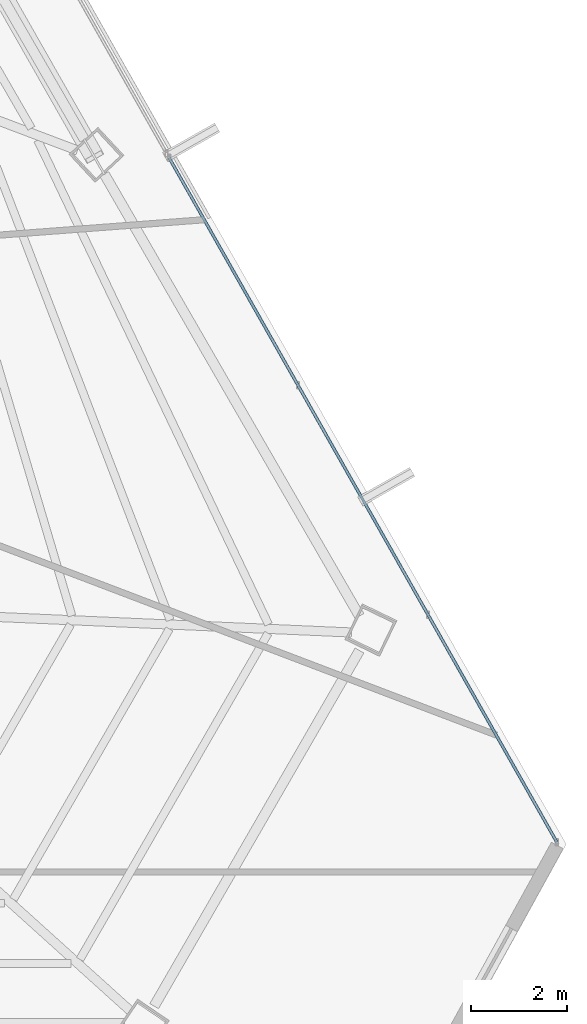
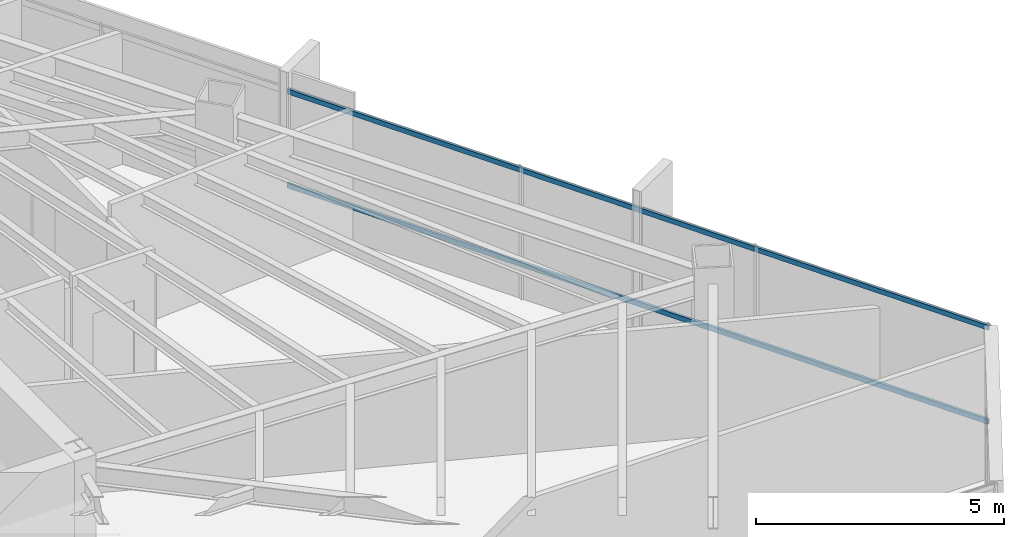
# One storey, part 23 of 40: 2 members, 1 element without a shape of its own.
"""IFC4 building model written with IfcOpenShell, lengths in metres."""

from ifc_helpers import new_model, si_unit, direction, frame, origin, origin_2d, place, context, subcontext, project, spatial, hollow_rectangle, extrude, source, transform, mapped, material, material_profile, profile_set, type_object, type_shapes, element, aggregate, save


model = new_model("IFC4")

# Units and contexts
model_context = context("Model", 3, precision=1e-05, world=origin(), true_north=direction((0.0, 1.0)))
body_context = subcontext(model_context, "Body", "Model", "MODEL_VIEW")
ifc_project = project(units=[si_unit("LENGTHUNIT", "METRE"), si_unit("AREAUNIT", "SQUARE_METRE"), si_unit("VOLUMEUNIT", "CUBIC_METRE"), si_unit("PLANEANGLEUNIT", "RADIAN"), si_unit("MASSUNIT", "GRAM", prefix="KILO")], contexts=[model_context])

# Site, building, storey
site_placement = place(None, origin())
site = spatial("IfcSite", under=ifc_project, at=site_placement, CompositionType="ELEMENT")
building_placement = place(site_placement, origin())
building = spatial("IfcBuilding", under=site, at=building_placement, Name="Caelisora Broadcast Tower", CompositionType="ELEMENT")
storey_placement = place(building_placement, frame((0.0, 0.0, 216.89990234375)))
storey = spatial("IfcBuildingStorey", under=building, at=storey_placement, Name="L57", CompositionType="ELEMENT", Elevation=216.89990234375)

# Curtain wall, members
ifc_material_1 = material(Name="Unitised Aluminium and Low-E Glass Curtain Wall", Category="glass")
curtain_wall_type = type_object("IfcCurtainWallType", Name="CW-Z4", PredefinedType="NOTDEFINED", material=ifc_material_1)
curtain_wall_placement = place(storey_placement, origin())
curtain_wall = element("IfcCurtainWall", 1, at=curtain_wall_placement, inside=storey, type_object=curtain_wall_type, Name="L57 curtain wall CW-Z4", PredefinedType="NOTDEFINED")
ifc_material_2 = material(Name="Aluminium 6063-T6 Anodised Terracotta Bronze", Category="aluminium")
ifc_material_profile = material_profile(ifc_material_2, hollow_rectangle(XDim=0.06005859375, YDim=0.1201171875, WallThickness=0.0029296875, at=origin_2d()), Name="Aluminium 6063-T6 Anodised Terracotta Bronze")
ifc_profile_set = profile_set([ifc_material_profile], Name="Aluminium 6063-T6 Anodised Terracotta Bronze")
member_type = type_object("IfcMemberType", Name="CWT-03", PredefinedType="USERDEFINED", material=ifc_profile_set)
shared_shape = source(origin(), body_context, "Body", "SweptSolid", [
    extrude(hollow_rectangle(XDim=0.06005859375, YDim=0.1201171875, WallThickness=0.0029296875, at=origin_2d()), origin(), (0.0, 0.0, 1.0), 16.422119140625),
])
type_shapes(member_type, [shared_shape])
member_1_placement = place(storey_placement, frame((55.751708984375, 26.694091796875, 0.85009765625), z_axis=(0.49291429227, -0.870077870352, 0.0), x_axis=(0.870077870352, 0.49291429227, 0.0)))
member_1 = element("IfcMember", 2, at=member_1_placement, type_object=member_type, Name="L57-CW-B03 transom #1", ObjectType="TRANSOM", PredefinedType="USERDEFINED", context=body_context, shape_type="MappedRepresentation", body=[
    mapped(shared_shape, transform((0.0, 0.0, 0.0), scale=1.0)),
])
member_2_placement = place(storey_placement, frame((55.751708984375, 26.694091796875, 3.170166015625), z_axis=(0.49291429227, -0.870077870352, 0.0), x_axis=(0.870077870352, 0.49291429227, 0.0)))
member_2 = element("IfcMember", 3, at=member_2_placement, type_object=member_type, Name="L57-CW-B03 transom #2", ObjectType="TRANSOM", PredefinedType="USERDEFINED", context=body_context, shape_type="MappedRepresentation", body=[
    mapped(shared_shape, transform((0.0, 0.0, 0.0), scale=1.0)),
])
aggregate(curtain_wall, [member_1, member_2])

save(model, "model.ifc")
